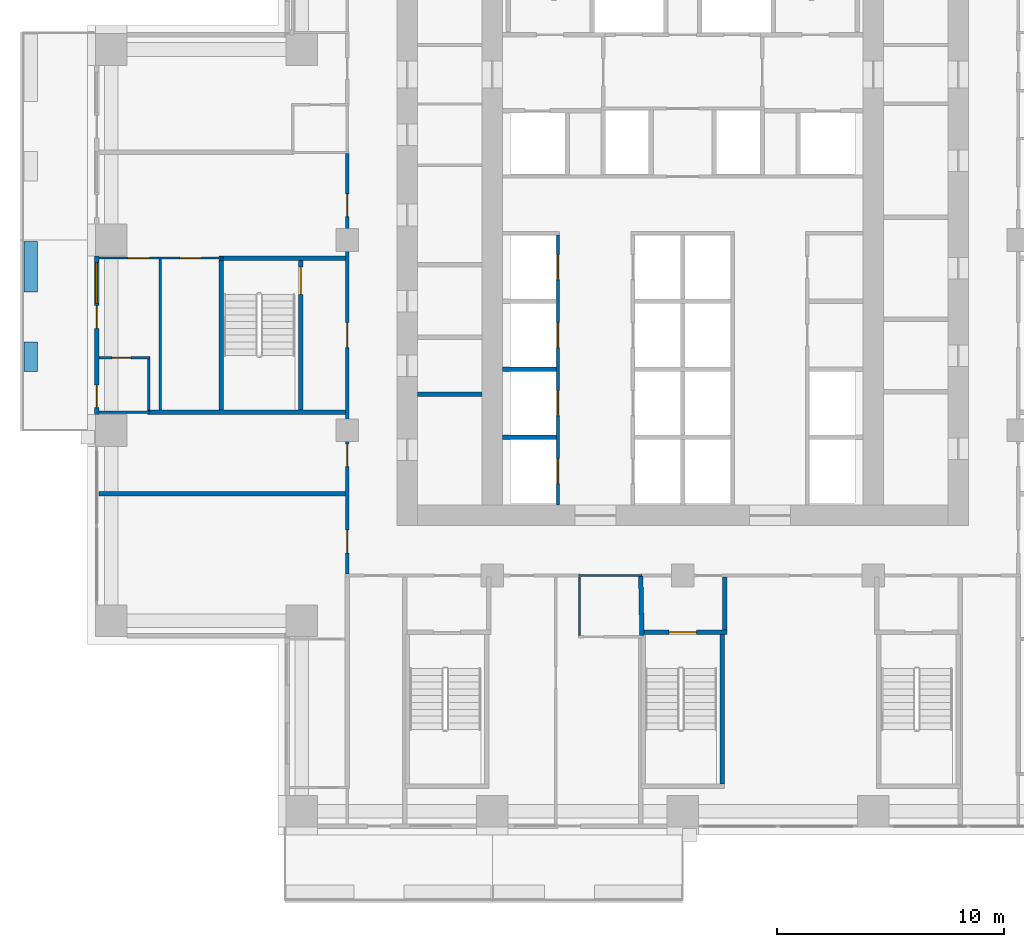
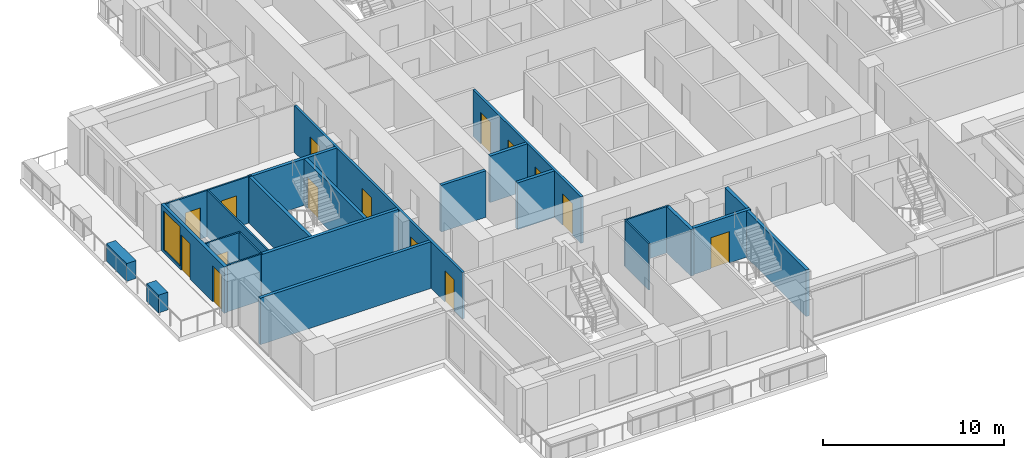
# One storey, part 7 of 17: 24 walls, 15 doors, 1 window, 16 openings.
"""IFC4 building model written with IfcOpenShell, lengths in metres."""

from ifc_helpers import new_model, si_unit, direction, frame, frame_2d, origin, place, context, subcontext, project, spatial, rectangle, extrude, material, layer, layer_set, type_object, element, fill, save


model = new_model("IFC4")

# Units and contexts
model_context = context("Model", 3, precision=1e-05, world=origin(), true_north=direction((0.0, 1.0)))
body_context = subcontext(model_context, "Body", "Model", "MODEL_VIEW")
ifc_project = project(units=[si_unit("LENGTHUNIT", "METRE"), si_unit("AREAUNIT", "SQUARE_METRE"), si_unit("VOLUMEUNIT", "CUBIC_METRE"), si_unit("PLANEANGLEUNIT", "RADIAN"), si_unit("MASSUNIT", "GRAM", prefix="KILO")], contexts=[model_context])

# Site, building, storey
site_placement = place(None, origin())
site = spatial("IfcSite", under=ifc_project, at=site_placement, CompositionType="ELEMENT")
building_placement = place(site_placement, origin())
building = spatial("IfcBuilding", under=site, at=building_placement, Name="Vermilion Ogive Tower", CompositionType="ELEMENT")
storey_placement = place(building_placement, frame((0.0, 0.0, 58.64990234375)))
storey = spatial("IfcBuildingStorey", under=building, at=storey_placement, Name="L13", CompositionType="ELEMENT", Elevation=58.64990234375)

# Walls
ifc_material_1 = material(Name="Gypsum board partition on steel studs", Category="steel")
ifc_layer_1 = layer(ifc_material_1, 0.10009765625)
ifc_layer_set_1 = layer_set([ifc_layer_1], Name="Partition 100 bath")
wall_type_1 = type_object("IfcWallType", Name="Partition 100 bath", PredefinedType="PARTITIONING", material=ifc_layer_set_1)
wall_1_placement = place(storey_placement, frame((-4.60009765625, -10.60009765625, 0.0), z_axis=(0.0, 0.0, 1.0), x_axis=(1.0, 0.0, 0.0)))
element("IfcWall", 1, at=wall_1_placement, inside=storey, type_object=wall_type_1, Name="L13-W-W013", PredefinedType="PARTITIONING", context=body_context, shape_type="SweptSolid", body=[
    extrude(rectangle(XDim=2.800048828125, YDim=0.10009765625, at=frame_2d((1.39990234375, 0.0))), origin(), (0.0, 0.0, 1.0), 3.130126953125),
])
wall_2_placement = place(storey_placement, frame((-25.75, -3.39990234375, 0.0), z_axis=(0.0, 0.0, 1.0), x_axis=(1.0, 0.0, 0.0)))
element("IfcWall", 2, at=wall_2_placement, inside=storey, type_object=wall_type_1, Name="L13-W-W017", PredefinedType="PARTITIONING", context=body_context, shape_type="SweptSolid", body=[
    extrude(rectangle(XDim=2.25, YDim=0.10009765625, at=frame_2d((1.125, 0.0))), origin(), (0.0, 0.0, 1.0), 3.130126953125),
])

# Wall, opening, door
wall_3_placement = place(storey_placement, frame((-25.75, -1.0, 0.0), z_axis=(0.0, 0.0, 1.0), x_axis=(1.0, 0.0, 0.0)))
wall_3 = element("IfcWall", 3, at=wall_3_placement, inside=storey, type_object=wall_type_1, Name="L13-W-W021", PredefinedType="PARTITIONING", context=body_context, shape_type="SweptSolid", body=[
    extrude(rectangle(XDim=2.25, YDim=0.10009765625, at=frame_2d((1.125, 0.0))), origin(), (0.0, 0.0, 1.0), 3.130126953125),
])
opening_1_placement = place(wall_3_placement, frame((0.574951171875, 0.0, 0.0)))
opening_1 = element("IfcOpeningElement", 4, at=opening_1_placement, cuts=wall_3, Name="Opening D1G4007", PredefinedType="OPENING", context=body_context, shape_type="SweptSolid", body=[
    extrude(rectangle(XDim=0.85009765625, YDim=2.10009765625, at=frame_2d((0.425048828125, 1.050048828125))), frame((0.0, 0.06005859375, 0.0), z_axis=(0.0, -1.0, 0.0), x_axis=(1.0, 0.0, 0.0)), (0.0, 0.0, 1.0), 0.1201171875),
])
ifc_material_2 = material(Name="Timber door leaf", Category="wood")
door_type_1 = type_object("IfcDoorType", Name="Bath door 850 x 2100 FD30", OperationType="SINGLE_SWING_LEFT", PredefinedType="DOOR", material=ifc_material_2)
door_1_placement = place(opening_1_placement, origin())
door_1 = element("IfcDoor", 5, at=door_1_placement, inside=storey, type_object=door_type_1, Name="L13-D-D007", OperationType="SINGLE_SWING_RIGHT", OverallHeight=2.10009765625, OverallWidth=0.85009765625, PredefinedType="DOOR", context=body_context, shape_type="SweptSolid", body=[
    extrude(rectangle(XDim=0.85009765625, YDim=2.10009765625, at=frame_2d((0.425048828125, 1.050048828125))), frame((0.0, 0.02490234375, 0.0), z_axis=(0.0, -1.0, 0.0), x_axis=(1.0, 0.0, 0.0)), (0.0, 0.0, 1.0), 0.050048828125),
])
fill(opening_1, door_1)

# Walls
wall_4_placement = place(storey_placement, frame((-23.550048828125, -3.300048828125, 0.0), z_axis=(0.0, 0.0, 1.0), x_axis=(0.0, 1.0, 0.0)))
element("IfcWall", 6, at=wall_4_placement, inside=storey, type_object=wall_type_1, Name="L13-W-W041", PredefinedType="PARTITIONING", context=body_context, shape_type="SweptSolid", body=[
    extrude(rectangle(XDim=2.25, YDim=0.10009765625, at=frame_2d((1.125, 0.0))), origin(), (0.0, 0.0, 1.0), 3.130126953125),
])
wall_5_placement = place(storey_placement, frame((-4.550048828125, -13.25, 0.0), z_axis=(0.0, 0.0, 1.0), x_axis=(0.0, 1.0, 0.0)))
element("IfcWall", 7, at=wall_5_placement, inside=storey, type_object=wall_type_1, Name="L13-W-W059", PredefinedType="PARTITIONING", context=body_context, shape_type="SweptSolid", body=[
    extrude(rectangle(XDim=2.574951171875, YDim=0.10009765625, at=frame_2d((1.28759765625, 0.0))), origin(), (0.0, 0.0, 1.0), 3.130126953125),
])

# Wall, openings, doors
ifc_material_3 = material(Name="Gypsum board partition on steel studs", Category="steel")
ifc_layer_2 = layer(ifc_material_3, 0.10009765625)
ifc_layer_set_2 = layer_set([ifc_layer_2], Name="Partition 100 inner")
wall_type_2 = type_object("IfcWallType", Name="Partition 100 inner", PredefinedType="PARTITIONING", material=ifc_layer_set_2)
wall_6_placement = place(storey_placement, frame((-25.75, 3.39990234375, 0.0), z_axis=(0.0, 0.0, 1.0), x_axis=(1.0, 0.0, 0.0)))
wall_6 = element("IfcWall", 8, at=wall_6_placement, inside=storey, type_object=wall_type_2, Name="L13-W-W023", PredefinedType="PARTITIONING", context=body_context, shape_type="SweptSolid", body=[
    extrude(rectangle(XDim=5.5, YDim=0.10009765625, at=frame_2d((2.75, 0.0))), origin(), (0.0, 0.0, 1.0), 3.130126953125),
])
opening_2_placement = place(wall_6_placement, frame((1.27490234375, 0.0, 0.0)))
opening_2 = element("IfcOpeningElement", 9, at=opening_2_placement, cuts=wall_6, Name="Opening D1G4004", PredefinedType="OPENING", context=body_context, shape_type="SweptSolid", body=[
    extrude(rectangle(XDim=0.949951171875, YDim=2.10009765625, at=frame_2d((0.47509765625, 1.050048828125))), frame((0.0, 0.06005859375, 0.0), z_axis=(0.0, -1.0, 0.0), x_axis=(1.0, 0.0, 0.0)), (0.0, 0.0, 1.0), 0.1201171875),
])
opening_3_placement = place(wall_6_placement, frame((3.574951171875, 0.0, 0.0)))
opening_3 = element("IfcOpeningElement", 10, at=opening_3_placement, cuts=wall_6, Name="Opening D1G4006", PredefinedType="OPENING", context=body_context, shape_type="SweptSolid", body=[
    extrude(rectangle(XDim=0.949951171875, YDim=2.10009765625, at=frame_2d((0.47509765625, 1.050048828125))), frame((0.0, 0.06005859375, 0.0), z_axis=(0.0, -1.0, 0.0), x_axis=(1.0, 0.0, 0.0)), (0.0, 0.0, 1.0), 0.1201171875),
])
ifc_material_4 = material(Name="Timber door leaf", Category="wood")
door_type_2 = type_object("IfcDoorType", Name="Inner door 950 x 2100 FD30", OperationType="SINGLE_SWING_LEFT", PredefinedType="DOOR", material=ifc_material_4)
door_2_placement = place(opening_2_placement, origin())
door_2 = element("IfcDoor", 11, at=door_2_placement, inside=storey, type_object=door_type_2, Name="L13-D-D004", OperationType="SINGLE_SWING_RIGHT", OverallHeight=2.10009765625, OverallWidth=0.949951171875, PredefinedType="DOOR", context=body_context, shape_type="SweptSolid", body=[
    extrude(rectangle(XDim=0.949951171875, YDim=2.10009765625, at=frame_2d((0.47509765625, 1.050048828125))), frame((0.0, 0.02490234375, 0.0), z_axis=(0.0, -1.0, 0.0), x_axis=(1.0, 0.0, 0.0)), (0.0, 0.0, 1.0), 0.050048828125),
])
fill(opening_2, door_2)
door_3_placement = place(opening_3_placement, origin())
door_3 = element("IfcDoor", 12, at=door_3_placement, inside=storey, type_object=door_type_2, Name="L13-D-D006", OperationType="SINGLE_SWING_RIGHT", OverallHeight=2.10009765625, OverallWidth=0.949951171875, PredefinedType="DOOR", context=body_context, shape_type="SweptSolid", body=[
    extrude(rectangle(XDim=0.949951171875, YDim=2.10009765625, at=frame_2d((0.47509765625, 1.050048828125))), frame((0.0, 0.02490234375, 0.0), z_axis=(0.0, -1.0, 0.0), x_axis=(1.0, 0.0, 0.0)), (0.0, 0.0, 1.0), 0.050048828125),
])
fill(opening_3, door_3)

# Wall
wall_7_placement = place(storey_placement, frame((-23.050048828125, -3.300048828125, 0.0), z_axis=(0.0, 0.0, 1.0), x_axis=(0.0, 1.0, 0.0)))
element("IfcWall", 13, at=wall_7_placement, inside=storey, type_object=wall_type_2, Name="L13-W-W042", PredefinedType="PARTITIONING", context=body_context, shape_type="SweptSolid", body=[
    extrude(rectangle(XDim=6.650146484375, YDim=0.10009765625, at=frame_2d((3.3251953125, 0.0))), origin(), (0.0, 0.0, 1.0), 3.130126953125),
])

# Wall, openings, doors
ifc_material_5 = material(Name="Gypsum board partition on steel studs", Category="steel")
ifc_layer_3 = layer(ifc_material_5, 0.14990234375)
ifc_layer_set_3 = layer_set([ifc_layer_3], Name="Partition 150 corridor")
wall_type_3 = type_object("IfcWallType", Name="Partition 150 corridor", PredefinedType="PARTITIONING", material=ifc_layer_set_3)
wall_8_placement = place(storey_placement, frame((-14.800048828125, -10.52490234375, 0.0), z_axis=(0.0, 0.0, 1.0), x_axis=(0.0, 1.0, 0.0)))
wall_8 = element("IfcWall", 14, at=wall_8_placement, inside=storey, type_object=wall_type_3, Name="L13-W-W049", PredefinedType="PARTITIONING", context=body_context, shape_type="SweptSolid", body=[
    extrude(rectangle(XDim=18.534912109375, YDim=0.14990234375, at=frame_2d((9.267578125, 0.0))), origin(), (0.0, 0.0, 1.0), 3.130126953125),
])
opening_4_placement = place(wall_8_placement, frame((0.9248046875, 0.0, 0.0)))
opening_4 = element("IfcOpeningElement", 15, at=opening_4_placement, cuts=wall_8, Name="Opening D1G4001", PredefinedType="OPENING", context=body_context, shape_type="SweptSolid", body=[
    extrude(rectangle(XDim=1.0, YDim=2.10009765625, at=frame_2d((0.5, 1.050048828125))), frame((0.0, 0.0849609375, 0.0), z_axis=(0.0, -1.0, 0.0), x_axis=(1.0, 0.0, 0.0)), (0.0, 0.0, 1.0), 0.169921875),
])
opening_5_placement = place(wall_8_placement, frame((15.7548828125, 0.0, 0.0)))
opening_5 = element("IfcOpeningElement", 16, at=opening_5_placement, cuts=wall_8, Name="Opening D1G4005", PredefinedType="OPENING", context=body_context, shape_type="SweptSolid", body=[
    extrude(rectangle(XDim=1.0, YDim=2.10009765625, at=frame_2d((0.5, 1.050048828125))), frame((0.0, 0.0849609375, 0.0), z_axis=(0.0, -1.0, 0.0), x_axis=(1.0, 0.0, 0.0)), (0.0, 0.0, 1.0), 0.169921875),
])
opening_6_placement = place(wall_8_placement, frame((9.974853515625, 0.0, 0.0)))
opening_6 = element("IfcOpeningElement", 17, at=opening_6_placement, cuts=wall_8, Name="Opening D1G4036", PredefinedType="OPENING", context=body_context, shape_type="SweptSolid", body=[
    extrude(rectangle(XDim=1.10009765625, YDim=2.10009765625, at=frame_2d((0.550048828125, 1.050048828125))), frame((0.0, 0.0849609375, 0.0), z_axis=(0.0, -1.0, 0.0), x_axis=(1.0, 0.0, 0.0)), (0.0, 0.0, 1.0), 0.169921875),
])
opening_7_placement = place(wall_8_placement, frame((4.724853515625, 0.0, 0.0)))
opening_7 = element("IfcOpeningElement", 18, at=opening_7_placement, cuts=wall_8, Name="Opening D1G4040", PredefinedType="OPENING", context=body_context, shape_type="SweptSolid", body=[
    extrude(rectangle(XDim=1.0, YDim=2.10009765625, at=frame_2d((0.5, 1.050048828125))), frame((0.0, 0.0849609375, 0.0), z_axis=(0.0, -1.0, 0.0), x_axis=(1.0, 0.0, 0.0)), (0.0, 0.0, 1.0), 0.169921875),
])
ifc_material_6 = material(Name="Timber door leaf", Category="wood")
door_type_3 = type_object("IfcDoorType", Name="Stair door 1100 x 2100 FD60S", OperationType="SINGLE_SWING_LEFT", PredefinedType="DOOR", material=ifc_material_6)
door_4_placement = place(opening_6_placement, origin())
door_4 = element("IfcDoor", 19, at=door_4_placement, inside=storey, type_object=door_type_3, Name="L13-D-D036", OperationType="SINGLE_SWING_RIGHT", OverallHeight=2.10009765625, OverallWidth=1.10009765625, PredefinedType="DOOR", context=body_context, shape_type="SweptSolid", body=[
    extrude(rectangle(XDim=1.10009765625, YDim=2.10009765625, at=frame_2d((0.550048828125, 1.050048828125))), frame((0.0, 0.02490234375, 0.0), z_axis=(0.0, -1.0, 0.0), x_axis=(1.0, 0.0, 0.0)), (0.0, 0.0, 1.0), 0.050048828125),
])
fill(opening_6, door_4)
ifc_material_7 = material(Name="Timber door leaf", Category="wood")
door_type_4 = type_object("IfcDoorType", Name="Unit door 1000 x 2100 FD30S", OperationType="SINGLE_SWING_LEFT", PredefinedType="DOOR", material=ifc_material_7)
door_5_placement = place(opening_4_placement, origin())
door_5 = element("IfcDoor", 20, at=door_5_placement, inside=storey, type_object=door_type_4, Name="L13-D-D001", OperationType="SINGLE_SWING_LEFT", OverallHeight=2.10009765625, OverallWidth=1.0, PredefinedType="DOOR", context=body_context, shape_type="SweptSolid", body=[
    extrude(rectangle(XDim=1.0, YDim=2.10009765625, at=frame_2d((0.5, 1.050048828125))), frame((0.0, 0.02490234375, 0.0), z_axis=(0.0, -1.0, 0.0), x_axis=(1.0, 0.0, 0.0)), (0.0, 0.0, 1.0), 0.050048828125),
])
fill(opening_4, door_5)
door_6_placement = place(opening_5_placement, origin())
door_6 = element("IfcDoor", 21, at=door_6_placement, inside=storey, type_object=door_type_4, Name="L13-D-D005", OperationType="SINGLE_SWING_RIGHT", OverallHeight=2.10009765625, OverallWidth=1.0, PredefinedType="DOOR", context=body_context, shape_type="SweptSolid", body=[
    extrude(rectangle(XDim=1.0, YDim=2.10009765625, at=frame_2d((0.5, 1.050048828125))), frame((0.0, 0.02490234375, 0.0), z_axis=(0.0, -1.0, 0.0), x_axis=(1.0, 0.0, 0.0)), (0.0, 0.0, 1.0), 0.050048828125),
])
fill(opening_5, door_6)
door_7_placement = place(opening_7_placement, origin())
door_7 = element("IfcDoor", 22, at=door_7_placement, inside=storey, type_object=door_type_4, Name="L13-D-D040", OperationType="SINGLE_SWING_LEFT", OverallHeight=2.10009765625, OverallWidth=1.0, PredefinedType="DOOR", context=body_context, shape_type="SweptSolid", body=[
    extrude(rectangle(XDim=1.0, YDim=2.10009765625, at=frame_2d((0.5, 1.050048828125))), frame((0.0, 0.02490234375, 0.0), z_axis=(0.0, -1.0, 0.0), x_axis=(1.0, 0.0, 0.0)), (0.0, 0.0, 1.0), 0.050048828125),
])
fill(opening_7, door_7)

wall_9_placement = place(storey_placement, frame((-5.5, -7.4990234375, 0.0), z_axis=(0.0, 0.0, 1.0), x_axis=(0.0, 1.0, 0.0)))
wall_9 = element("IfcWall", 23, at=wall_9_placement, inside=storey, type_object=wall_type_3, Name="L13-CK-W-W022", PredefinedType="PARTITIONING", context=body_context, shape_type="SweptSolid", body=[
    extrude(rectangle(XDim=11.924072265625, YDim=0.14990234375, at=frame_2d((5.9619140625, 0.0))), origin(), (0.0, 0.0, 1.0), 3.130126953125),
])
opening_8_placement = place(wall_9_placement, frame((0.948974609375, 0.0, 0.0)))
opening_8 = element("IfcOpeningElement", 24, at=opening_8_placement, cuts=wall_9, Name="Opening DAA079", PredefinedType="OPENING", context=body_context, shape_type="SweptSolid", body=[
    extrude(rectangle(XDim=1.10009765625, YDim=2.10009765625, at=frame_2d((0.550048828125, 1.050048828125))), frame((0.0, 0.0849609375, 0.0), z_axis=(0.0, -1.0, 0.0), x_axis=(1.0, 0.0, 0.0)), (0.0, 0.0, 1.0), 0.169921875),
])
opening_9_placement = place(wall_9_placement, frame((3.948974609375, 0.0, 0.0)))
opening_9 = element("IfcOpeningElement", 25, at=opening_9_placement, cuts=wall_9, Name="Opening DAA082", PredefinedType="OPENING", context=body_context, shape_type="SweptSolid", body=[
    extrude(rectangle(XDim=1.10009765625, YDim=2.10009765625, at=frame_2d((0.550048828125, 1.050048828125))), frame((0.0, 0.0849609375, 0.0), z_axis=(0.0, -1.0, 0.0), x_axis=(1.0, 0.0, 0.0)), (0.0, 0.0, 1.0), 0.169921875),
])
opening_10_placement = place(wall_9_placement, frame((6.948974609375, 0.0, 0.0)))
opening_10 = element("IfcOpeningElement", 26, at=opening_10_placement, cuts=wall_9, Name="Opening DAA083", PredefinedType="OPENING", context=body_context, shape_type="SweptSolid", body=[
    extrude(rectangle(XDim=1.10009765625, YDim=2.10009765625, at=frame_2d((0.550048828125, 1.050048828125))), frame((0.0, 0.0849609375, 0.0), z_axis=(0.0, -1.0, 0.0), x_axis=(1.0, 0.0, 0.0)), (0.0, 0.0, 1.0), 0.169921875),
])
opening_11_placement = place(wall_9_placement, frame((9.948974609375, 0.0, 0.0)))
opening_11 = element("IfcOpeningElement", 27, at=opening_11_placement, cuts=wall_9, Name="Opening DAA084", PredefinedType="OPENING", context=body_context, shape_type="SweptSolid", body=[
    extrude(rectangle(XDim=1.10009765625, YDim=2.10009765625, at=frame_2d((0.550048828125, 1.050048828125))), frame((0.0, 0.0849609375, 0.0), z_axis=(0.0, -1.0, 0.0), x_axis=(1.0, 0.0, 0.0)), (0.0, 0.0, 1.0), 0.169921875),
])
ifc_material_8 = material(Name="Stainless steel", Category="steel")
door_type_5 = type_object("IfcDoorType", Name="Lift landing door 1100 x 2100", OperationType="SLIDING_TO_LEFT", PredefinedType="DOOR", material=ifc_material_8)
door_8_placement = place(opening_8_placement, origin())
door_8 = element("IfcDoor", 28, at=door_8_placement, inside=storey, type_object=door_type_5, Name="L13-CK-D-D001", OperationType="SLIDING_TO_RIGHT", OverallHeight=2.10009765625, OverallWidth=1.10009765625, PredefinedType="DOOR", context=body_context, shape_type="SweptSolid", body=[
    extrude(rectangle(XDim=1.10009765625, YDim=2.10009765625, at=frame_2d((0.550048828125, 1.050048828125))), frame((0.0, 0.02490234375, 0.0), z_axis=(0.0, -1.0, 0.0), x_axis=(1.0, 0.0, 0.0)), (0.0, 0.0, 1.0), 0.050048828125),
])
fill(opening_8, door_8)
door_9_placement = place(opening_9_placement, origin())
door_9 = element("IfcDoor", 29, at=door_9_placement, inside=storey, type_object=door_type_5, Name="L13-CK-D-D002", OperationType="SLIDING_TO_RIGHT", OverallHeight=2.10009765625, OverallWidth=1.10009765625, PredefinedType="DOOR", context=body_context, shape_type="SweptSolid", body=[
    extrude(rectangle(XDim=1.10009765625, YDim=2.10009765625, at=frame_2d((0.550048828125, 1.050048828125))), frame((0.0, 0.02490234375, 0.0), z_axis=(0.0, -1.0, 0.0), x_axis=(1.0, 0.0, 0.0)), (0.0, 0.0, 1.0), 0.050048828125),
])
fill(opening_9, door_9)
door_10_placement = place(opening_10_placement, origin())
door_10 = element("IfcDoor", 30, at=door_10_placement, inside=storey, type_object=door_type_5, Name="L13-CK-D-D003", OperationType="SLIDING_TO_RIGHT", OverallHeight=2.10009765625, OverallWidth=1.10009765625, PredefinedType="DOOR", context=body_context, shape_type="SweptSolid", body=[
    extrude(rectangle(XDim=1.10009765625, YDim=2.10009765625, at=frame_2d((0.550048828125, 1.050048828125))), frame((0.0, 0.02490234375, 0.0), z_axis=(0.0, -1.0, 0.0), x_axis=(1.0, 0.0, 0.0)), (0.0, 0.0, 1.0), 0.050048828125),
])
fill(opening_10, door_10)
door_11_placement = place(opening_11_placement, origin())
door_11 = element("IfcDoor", 31, at=door_11_placement, inside=storey, type_object=door_type_5, Name="L13-CK-D-D004", OperationType="SLIDING_TO_RIGHT", OverallHeight=2.10009765625, OverallWidth=1.10009765625, PredefinedType="DOOR", context=body_context, shape_type="SweptSolid", body=[
    extrude(rectangle(XDim=1.10009765625, YDim=2.10009765625, at=frame_2d((0.550048828125, 1.050048828125))), frame((0.0, 0.02490234375, 0.0), z_axis=(0.0, -1.0, 0.0), x_axis=(1.0, 0.0, 0.0)), (0.0, 0.0, 1.0), 0.050048828125),
])
fill(opening_11, door_11)

# Walls
ifc_material_9 = material(Name="Gypsum board partition on steel studs", Category="steel")
ifc_layer_4 = layer(ifc_material_9, 0.199951171875)
ifc_layer_set_4 = layer_set([ifc_layer_4], Name="Partition 200 party")
wall_type_4 = type_object("IfcWallType", Name="Partition 200 party", PredefinedType="PARTITIONING", material=ifc_layer_set_4)
wall_10_placement = place(storey_placement, frame((-25.75, -7.0, 0.0), z_axis=(0.0, 0.0, 1.0), x_axis=(1.0, 0.0, 0.0)))
element("IfcWall", 32, at=wall_10_placement, inside=storey, type_object=wall_type_4, Name="L13-W-W015", PredefinedType="PARTITIONING", context=body_context, shape_type="SweptSolid", body=[
    extrude(rectangle(XDim=10.875, YDim=0.199951171875, at=frame_2d((5.4375, 0.0))), origin(), (0.0, 0.0, 1.0), 3.130126953125),
])
for number, where, z_axis, x_axis, name in (
    (33, (-7.948974609375, -4.5, 0.0), (0.0, 0.0, 1.0), (1.0, 0.0, 0.0), "L13-CK-W-W001"),
    (34, (-7.948974609375, -1.5, 0.0), (0.0, 0.0, 1.0), (1.0, 0.0, 0.0), "L13-CK-W-W004"),
):
    element("IfcWall", number, at=place(storey_placement, frame(where, z_axis=z_axis, x_axis=x_axis)), inside=storey, type_object=wall_type_4, Name=name, PredefinedType="PARTITIONING", context=body_context, shape_type="SweptSolid", body=[
        extrude(rectangle(XDim=2.3740234375, YDim=0.199951171875, at=frame_2d((1.18701171875, 0.0))), origin(), (0.0, 0.0, 1.0), 3.130126953125),
    ])
wall_11_placement = place(storey_placement, frame((-11.698974609375, -2.60009765625, 0.0), z_axis=(0.0, 0.0, 1.0), x_axis=(1.0, 0.0, 0.0)))
element("IfcWall", 35, at=wall_11_placement, inside=storey, type_object=wall_type_4, Name="L13-CKW-W-W001", PredefinedType="PARTITIONING", context=body_context, shape_type="SweptSolid", body=[
    extrude(rectangle(XDim=2.847900390625, YDim=0.199951171875, at=frame_2d((1.423828125, 0.0))), origin(), (0.0, 0.0, 1.0), 3.130126953125),
])

# Wall, opening, door
ifc_material_10 = material(Name="Concrete B60", Category="concrete")
ifc_layer_5 = layer(ifc_material_10, 0.199951171875)
ifc_layer_set_5 = layer_set([ifc_layer_5], Name="Stair shaft wall 200 Concrete B60")
wall_type_5 = type_object("IfcWallType", Name="Stair shaft wall 200 Concrete B60", PredefinedType="SOLIDWALL", material=ifc_layer_set_5)
wall_12_placement = place(storey_placement, frame((-1.798095703125, -13.10009765625, 0.0), z_axis=(0.0, 0.0, 1.0), x_axis=(1.0, 0.0, 0.0)))
wall_12 = element("IfcWall", 36, at=wall_12_placement, inside=storey, type_object=wall_type_5, Name="L13-W-W010", PredefinedType="SOLIDWALL", context=body_context, shape_type="SweptSolid", body=[
    extrude(rectangle(XDim=3.74609375, YDim=0.199951171875, at=frame_2d((1.873046875, 0.0))), origin(), (0.0, 0.0, 1.0), 3.130126953125),
])
opening_12_placement = place(wall_12_placement, frame((1.197998046875, 0.0, 0.0)))
opening_12 = element("IfcOpeningElement", 37, at=opening_12_placement, cuts=wall_12, Name="Opening D1G4031", PredefinedType="OPENING", context=body_context, shape_type="SweptSolid", body=[
    extrude(rectangle(XDim=1.199951171875, YDim=2.10009765625, at=frame_2d((0.60009765625, 1.050048828125))), frame((0.0, 0.10986328125, 0.0), z_axis=(0.0, -1.0, 0.0), x_axis=(1.0, 0.0, 0.0)), (0.0, 0.0, 1.0), 0.219970703125),
])
ifc_material_11 = material(Name="Timber door leaf", Category="wood")
door_type_6 = type_object("IfcDoorType", Name="Stair door 1200 x 2100 FD60S", OperationType="SINGLE_SWING_LEFT", PredefinedType="DOOR", material=ifc_material_11)
door_12_placement = place(opening_12_placement, origin())
door_12 = element("IfcDoor", 38, at=door_12_placement, inside=storey, type_object=door_type_6, Name="L13-D-D031", OperationType="SINGLE_SWING_RIGHT", OverallHeight=2.10009765625, OverallWidth=1.199951171875, PredefinedType="DOOR", context=body_context, shape_type="SweptSolid", body=[
    extrude(rectangle(XDim=1.199951171875, YDim=2.10009765625, at=frame_2d((0.60009765625, 1.050048828125))), frame((0.0, 0.02490234375, 0.0), z_axis=(0.0, -1.0, 0.0), x_axis=(1.0, 0.0, 0.0)), (0.0, 0.0, 1.0), 0.050048828125),
])
fill(opening_12, door_12)

# Walls
wall_13_placement = place(storey_placement, frame((-20.449951171875, 3.39990234375, 0.0), z_axis=(0.0, 0.0, 1.0), x_axis=(1.0, 0.0, 0.0)))
element("IfcWall", 39, at=wall_13_placement, inside=storey, type_object=wall_type_5, Name="L13-W-W024", PredefinedType="SOLIDWALL", context=body_context, shape_type="SweptSolid", body=[
    extrude(rectangle(XDim=5.574951171875, YDim=0.199951171875, at=frame_2d((2.78759765625, 0.0))), origin(), (0.0, 0.0, 1.0), 3.130126953125),
])
wall_14_placement = place(storey_placement, frame((-20.35009765625, -3.300048828125, 0.0), z_axis=(0.0, 0.0, 1.0), x_axis=(0.0, 1.0, 0.0)))
element("IfcWall", 40, at=wall_14_placement, inside=storey, type_object=wall_type_5, Name="L13-W-W043", PredefinedType="SOLIDWALL", context=body_context, shape_type="SweptSolid", body=[
    extrude(rectangle(XDim=6.60009765625, YDim=0.199951171875, at=frame_2d((3.300048828125, 0.0))), origin(), (0.0, 0.0, 1.0), 3.130126953125),
])

# Wall, opening, door
wall_15_placement = place(storey_placement, frame((-16.85009765625, -3.300048828125, 0.0), z_axis=(0.0, 0.0, 1.0), x_axis=(0.0, 1.0, 0.0)))
wall_15 = element("IfcWall", 41, at=wall_15_placement, inside=storey, type_object=wall_type_5, Name="L13-W-W046", PredefinedType="SOLIDWALL", context=body_context, shape_type="SweptSolid", body=[
    extrude(rectangle(XDim=6.60009765625, YDim=0.199951171875, at=frame_2d((3.300048828125, 0.0))), origin(), (0.0, 0.0, 1.0), 3.130126953125),
])
opening_13_placement = place(wall_15_placement, frame((5.10009765625, 0.0, 0.0)))
opening_13 = element("IfcOpeningElement", 42, at=opening_13_placement, cuts=wall_15, Name="Opening D1G4037", PredefinedType="OPENING", context=body_context, shape_type="SweptSolid", body=[
    extrude(rectangle(XDim=1.199951171875, YDim=2.10009765625, at=frame_2d((0.60009765625, 1.050048828125))), frame((0.0, 0.10986328125, 0.0), z_axis=(0.0, -1.0, 0.0), x_axis=(1.0, 0.0, 0.0)), (0.0, 0.0, 1.0), 0.219970703125),
])
door_13_placement = place(opening_13_placement, origin())
door_13 = element("IfcDoor", 43, at=door_13_placement, inside=storey, type_object=door_type_6, Name="L13-D-D037", OperationType="SINGLE_SWING_RIGHT", OverallHeight=2.10009765625, OverallWidth=1.199951171875, PredefinedType="DOOR", context=body_context, shape_type="SweptSolid", body=[
    extrude(rectangle(XDim=1.199951171875, YDim=2.10009765625, at=frame_2d((0.60009765625, 1.050048828125))), frame((0.0, 0.02490234375, 0.0), z_axis=(0.0, -1.0, 0.0), x_axis=(1.0, 0.0, 0.0)), (0.0, 0.0, 1.0), 0.050048828125),
])
fill(opening_13, door_13)

# Walls
wall_16_placement = place(storey_placement, frame((-1.800048828125, -13.25, 0.0), z_axis=(0.0, 0.0, 1.0), x_axis=(-0.019062755699, 0.999818289163, 0.0)))
element("IfcWall", 44, at=wall_16_placement, inside=storey, type_object=wall_type_5, Name="L13-W-W061", PredefinedType="SOLIDWALL", context=body_context, shape_type="SweptSolid", body=[
    extrude(rectangle(XDim=2.62548828125, YDim=0.199951171875, at=frame_2d((1.312744140625, 0.0))), origin(), (0.0, 0.0, 1.0), 3.130126953125),
])
wall_17_placement = place(storey_placement, frame((1.75, -19.798095703125, 0.0), z_axis=(0.0, 0.0, 1.0), x_axis=(0.0, 1.0, 0.0)))
element("IfcWall", 45, at=wall_17_placement, inside=storey, type_object=wall_type_5, Name="L13-W-W063", PredefinedType="SOLIDWALL", context=body_context, shape_type="SweptSolid", body=[
    extrude(rectangle(XDim=6.59619140625, YDim=0.199951171875, at=frame_2d((3.298095703125, 0.0))), origin(), (0.0, 0.0, 1.0), 3.130126953125),
])
wall_18_placement = place(storey_placement, frame((1.85009765625, -12.998046875, 0.0), z_axis=(0.0, 0.0, 1.0), x_axis=(0.0, 1.0, 0.0)))
element("IfcWall", 46, at=wall_18_placement, inside=storey, type_object=wall_type_5, Name="L13-W-W064", PredefinedType="SOLIDWALL", context=body_context, shape_type="SweptSolid", body=[
    extrude(rectangle(XDim=2.322998046875, YDim=0.199951171875, at=frame_2d((1.16162109375, 0.0))), origin(), (0.0, 0.0, 1.0), 3.130126953125),
])
wall_19_placement = place(storey_placement, frame((-23.60009765625, -3.39990234375, 0.0), z_axis=(0.0, 0.0, 1.0), x_axis=(1.0, 0.0, 0.0)))
element("IfcWall", 47, at=wall_19_placement, inside=storey, type_object=wall_type_5, Name="L13-W-W018-A", PredefinedType="SOLIDWALL", context=body_context, shape_type="SweptSolid", body=[
    extrude(rectangle(XDim=8.72509765625, YDim=0.199951171875, at=frame_2d((4.362548828125, 0.0))), origin(), (0.0, 0.0, 1.0), 3.130126953125),
])
ifc_material_12 = material(Name="Concrete B40", Category="concrete")
ifc_layer_6 = layer(ifc_material_12, 0.60009765625)
ifc_layer_set_6 = layer_set([ifc_layer_6], Name="Structural planter")
wall_type_6 = type_object("IfcWallType", Name="Structural planter", PredefinedType="USERDEFINED", material=ifc_layer_set_6)
wall_20_placement = place(storey_placement, frame((-28.75, 4.139892578125, -0.039794921875), z_axis=(0.0, 0.0, 1.0), x_axis=(0.0, -1.0, 0.0)))
element("IfcWall", 48, at=wall_20_placement, inside=storey, type_object=wall_type_6, Name="Planter W02A1", ObjectType="PLANTER", PredefinedType="USERDEFINED", context=body_context, shape_type="SweptSolid", body=[
    extrude(rectangle(XDim=2.239990234375, YDim=0.60009765625, at=frame_2d((1.1201171875, 0.0))), origin(), (0.0, 0.0, 1.0), 1.199951171875),
])
wall_21_placement = place(storey_placement, frame((-28.75, -0.300048828125, -0.039794921875), z_axis=(0.0, 0.0, 1.0), x_axis=(0.0, -1.0, 0.0)))
element("IfcWall", 49, at=wall_21_placement, inside=storey, type_object=wall_type_6, Name="Planter W02A2", ObjectType="PLANTER", PredefinedType="USERDEFINED", context=body_context, shape_type="SweptSolid", body=[
    extrude(rectangle(XDim=1.300048828125, YDim=0.60009765625, at=frame_2d((0.64990234375, 0.0))), origin(), (0.0, 0.0, 1.0), 1.199951171875),
])

# Wall, openings, doors, window
ifc_material_13 = material(Name="Aluminium window wall framing", Category="aluminium")
ifc_layer_7 = layer(ifc_material_13, 0.199951171875)
ifc_layer_set_7 = layer_set([ifc_layer_7], Name="Window wall")
wall_type_7 = type_object("IfcWallType", Name="Window wall", PredefinedType="STANDARD", material=ifc_layer_set_7)
wall_22_placement = place(storey_placement, frame((-25.85009765625, 3.5, 0.0), z_axis=(0.0, 0.0, 1.0), x_axis=(0.0, -1.0, 0.0)))
wall_22 = element("IfcWall", 50, at=wall_22_placement, inside=storey, type_object=wall_type_7, Name="Window wall W2", PredefinedType="STANDARD", context=body_context, shape_type="SweptSolid", body=[
    extrude(rectangle(XDim=7.0, YDim=0.199951171875, at=frame_2d((3.5, 0.0))), origin(), (0.0, 0.0, 1.0), 3.130126953125),
])
opening_14_placement = place(wall_22_placement, frame((5.699951171875, 0.0, 0.0)))
opening_14 = element("IfcOpeningElement", 51, at=opening_14_placement, cuts=wall_22, Name="Opening D1-W99", PredefinedType="OPENING", context=body_context, shape_type="SweptSolid", body=[
    extrude(rectangle(XDim=1.0, YDim=2.39990234375, at=frame_2d((0.5, 1.199951171875))), frame((0.0, 0.10986328125, 0.0), z_axis=(0.0, -1.0, 0.0), x_axis=(1.0, 0.0, 0.0)), (0.0, 0.0, 1.0), 0.219970703125),
])
opening_15_placement = place(wall_22_placement, frame((0.300048828125, 0.0, 0.199951171875)))
opening_15 = element("IfcOpeningElement", 52, at=opening_15_placement, cuts=wall_22, Name="Opening W1-W00", PredefinedType="OPENING", context=body_context, shape_type="SweptSolid", body=[
    extrude(rectangle(XDim=1.800048828125, YDim=2.64990234375, at=frame_2d((0.89990234375, 1.324951171875))), frame((0.0, 0.10986328125, 0.0), z_axis=(0.0, -1.0, 0.0), x_axis=(1.0, 0.0, 0.0)), (0.0, 0.0, 1.0), 0.219970703125),
])
opening_16_placement = place(wall_22_placement, frame((2.199951171875, 0.0, 0.0)))
opening_16 = element("IfcOpeningElement", 53, at=opening_16_placement, cuts=wall_22, Name="Opening D1-W00", PredefinedType="OPENING", context=body_context, shape_type="SweptSolid", body=[
    extrude(rectangle(XDim=1.0, YDim=2.39990234375, at=frame_2d((0.5, 1.199951171875))), frame((0.0, 0.10986328125, 0.0), z_axis=(0.0, -1.0, 0.0), x_axis=(1.0, 0.0, 0.0)), (0.0, 0.0, 1.0), 0.219970703125),
])
ifc_material_14 = material(Name="Aluminium framed glazed door", Category="aluminium")
door_type_7 = type_object("IfcDoorType", Name="Balcony door D1", OperationType="SINGLE_SWING_LEFT", PredefinedType="DOOR", material=ifc_material_14)
door_14_placement = place(opening_14_placement, origin())
door_14 = element("IfcDoor", 54, at=door_14_placement, inside=storey, type_object=door_type_7, Name="Balcony door W99", OperationType="SINGLE_SWING_LEFT", OverallHeight=2.39990234375, OverallWidth=1.0, PredefinedType="DOOR", context=body_context, shape_type="SweptSolid", body=[
    extrude(rectangle(XDim=1.0, YDim=2.39990234375, at=frame_2d((0.5, 1.199951171875))), frame((0.0, 0.02490234375, 0.0), z_axis=(0.0, -1.0, 0.0), x_axis=(1.0, 0.0, 0.0)), (0.0, 0.0, 1.0), 0.050048828125),
])
fill(opening_14, door_14)
door_15_placement = place(opening_16_placement, origin())
door_15 = element("IfcDoor", 55, at=door_15_placement, inside=storey, type_object=door_type_7, Name="Balcony door W00", OperationType="SINGLE_SWING_LEFT", OverallHeight=2.39990234375, OverallWidth=1.0, PredefinedType="DOOR", context=body_context, shape_type="SweptSolid", body=[
    extrude(rectangle(XDim=1.0, YDim=2.39990234375, at=frame_2d((0.5, 1.199951171875))), frame((0.0, 0.02490234375, 0.0), z_axis=(0.0, -1.0, 0.0), x_axis=(1.0, 0.0, 0.0)), (0.0, 0.0, 1.0), 0.050048828125),
])
fill(opening_16, door_15)
ifc_material_15 = material(Name="Aluminium framed double glazing", Category="aluminium")
window_type = type_object("IfcWindowType", Name="Guest window W1", PartitioningType="SINGLE_PANEL", PredefinedType="WINDOW", material=ifc_material_15)
window_placement = place(opening_15_placement, origin())
window = element("IfcWindow", 56, at=window_placement, inside=storey, type_object=window_type, Name="Window W00", OverallHeight=2.64990234375, OverallWidth=1.800048828125, PartitioningType="SINGLE_PANEL", PredefinedType="WINDOW", context=body_context, shape_type="SweptSolid", body=[
    extrude(rectangle(XDim=1.800048828125, YDim=2.64990234375, at=frame_2d((0.89990234375, 1.324951171875))), frame((0.0, 0.030029296875, 0.0), z_axis=(0.0, -1.0, 0.0), x_axis=(1.0, 0.0, 0.0)), (0.0, 0.0, 1.0), 0.06005859375),
])
fill(opening_15, window)

save(model, "model.ifc")
